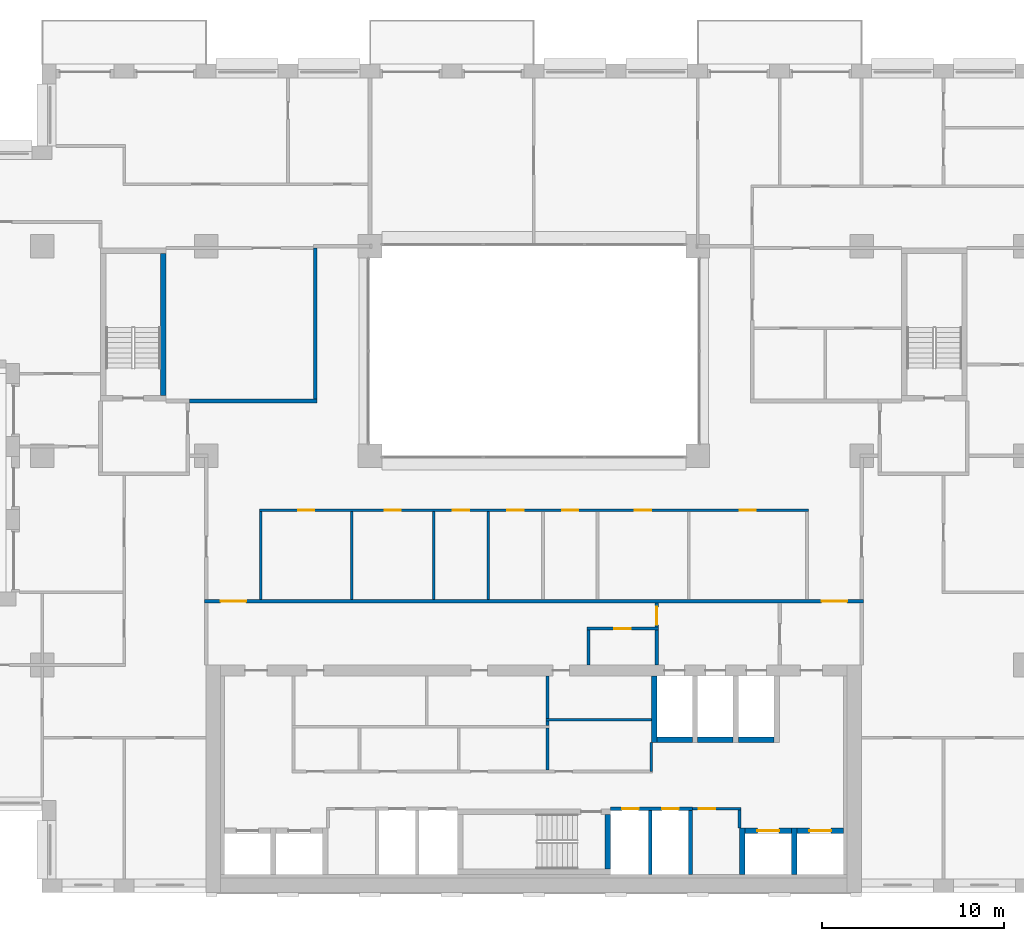
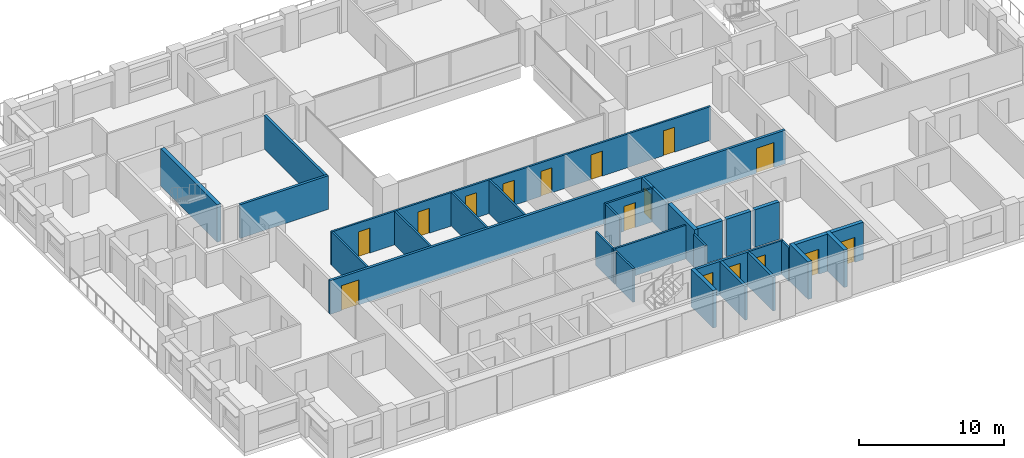
# One storey, part 10 of 16: 32 walls, 16 doors, 16 openings.
"""IFC4 building model written with IfcOpenShell, lengths in metres."""

from ifc_helpers import new_model, si_unit, direction, frame, frame_2d, origin, place, context, subcontext, project, spatial, rectangle, extrude, material, layer, layer_set, type_object, element, fill, save


model = new_model("IFC4")

# Units and contexts
model_context = context("Model", 3, precision=1e-05, world=origin(), true_north=direction((0.0, 1.0)))
body_context = subcontext(model_context, "Body", "Model", "MODEL_VIEW")
ifc_project = project(units=[si_unit("LENGTHUNIT", "METRE"), si_unit("AREAUNIT", "SQUARE_METRE"), si_unit("VOLUMEUNIT", "CUBIC_METRE"), si_unit("PLANEANGLEUNIT", "RADIAN"), si_unit("MASSUNIT", "GRAM", prefix="KILO")], contexts=[model_context])

# Site, building, storey
site_placement = place(None, origin())
site = spatial("IfcSite", under=ifc_project, at=site_placement, CompositionType="ELEMENT")
building_placement = place(site_placement, origin())
building = spatial("IfcBuilding", under=site, at=building_placement, Name="Brigalow Station Residences", CompositionType="ELEMENT")
storey_placement = place(building_placement, frame((0.0, 0.0, 105.60009765625)))
storey = spatial("IfcBuildingStorey", under=building, at=storey_placement, Name="L30", CompositionType="ELEMENT", Elevation=105.60009765625)

# Walls
ifc_material_1 = material(Name="Concrete C65", Category="concrete")
ifc_layer_1 = layer(ifc_material_1, 0.300048828125)
ifc_layer_set_1 = layer_set([ifc_layer_1], Name="CORE SHEAR WALL 300 C65")
wall_type_1 = type_object("IfcWallType", Name="CORE SHEAR WALL 300 C65", PredefinedType="SHEAR", material=ifc_layer_set_1)
wall_1_placement = place(storey_placement, frame((42.75, 8.39990234375, 0.0), z_axis=(0.0, 0.0, 1.0), x_axis=(1.0, 0.0, 0.0)))
element("IfcWall", 1, at=wall_1_placement, inside=storey, type_object=wall_type_1, Name="CORE WALL SH-FF1-S L30", PredefinedType="SHEAR", context=body_context, shape_type="SweptSolid", body=[
    extrude(rectangle(XDim=1.949951171875, YDim=0.300048828125, at=frame_2d((0.97509765625, 0.0))), origin(), (0.0, 0.0, 1.0), 3.14990234375),
])
wall_2_placement = place(storey_placement, frame((42.60009765625, 8.25, 0.0), z_axis=(0.0, 0.0, 1.0), x_axis=(0.0, 1.0, 0.0)))
element("IfcWall", 2, at=wall_2_placement, inside=storey, type_object=wall_type_1, Name="CORE WALL SH-FF1-W L30", PredefinedType="SHEAR", context=body_context, shape_type="SweptSolid", body=[
    extrude(rectangle(XDim=3.64990234375, YDim=0.300048828125, at=frame_2d((1.824951171875, 0.0))), origin(), (0.0, 0.0, 1.0), 3.14990234375),
])
for number, where, z_axis, x_axis, name in (
    (3, (45.0, 8.39990234375, 0.0), (0.0, 0.0, 1.0), (1.0, 0.0, 0.0), "CORE WALL SH-FF2-S L30"),
    (4, (47.25, 8.39990234375, 0.0), (0.0, 0.0, 1.0), (1.0, 0.0, 0.0), "CORE WALL SH-SL1-S L30"),
):
    element("IfcWall", number, at=place(storey_placement, frame(where, z_axis=z_axis, x_axis=x_axis)), inside=storey, type_object=wall_type_1, Name=name, PredefinedType="SHEAR", context=body_context, shape_type="SweptSolid", body=[
        extrude(rectangle(XDim=1.949951171875, YDim=0.300048828125, at=frame_2d((0.97509765625, 0.0))), origin(), (0.0, 0.0, 1.0), 3.14990234375),
    ])

# Wall, opening, door
wall_3_placement = place(storey_placement, frame((47.60009765625, 3.39990234375, 0.0), z_axis=(0.0, 0.0, 1.0), x_axis=(1.0, 0.0, 0.0)))
wall_3 = element("IfcWall", 5, at=wall_3_placement, inside=storey, type_object=wall_type_1, Name="CORE WALL SH-C3-N L30", PredefinedType="SHEAR", context=body_context, shape_type="SweptSolid", body=[
    extrude(rectangle(XDim=2.5498046875, YDim=0.300048828125, at=frame_2d((1.27490234375, 0.0))), origin(), (0.0, 0.0, 1.0), 3.14990234375),
])
opening_1_placement = place(wall_3_placement, frame((0.675048828125, 0.0, 0.0)))
opening_1 = element("IfcOpeningElement", 6, at=opening_1_placement, cuts=wall_3, Name="Opening LD-LB3", PredefinedType="OPENING", context=body_context, shape_type="SweptSolid", body=[
    extrude(rectangle(XDim=1.199951171875, YDim=2.10009765625, at=frame_2d((0.60009765625, 1.050048828125))), frame((0.0, 0.16015625, 0.0), z_axis=(0.0, -1.0, 0.0), x_axis=(1.0, 0.0, 0.0)), (0.0, 0.0, 1.0), 0.320068359375),
])
ifc_material_2 = material(Name="Stainless steel sliding door leaves", Category="steel")
door_type_1 = type_object("IfcDoorType", Name="LIFT LANDING DOOR 1200 x 2100", OperationType="DOUBLE_DOOR_SLIDING", PredefinedType="DOOR", material=ifc_material_2)
door_1_placement = place(opening_1_placement, origin())
door_1 = element("IfcDoor", 7, at=door_1_placement, inside=storey, type_object=door_type_1, Name="LANDING DOOR LB3", OperationType="DOUBLE_DOOR_SLIDING", OverallHeight=2.10009765625, OverallWidth=1.199951171875, PredefinedType="DOOR", context=body_context, shape_type="SweptSolid", body=[
    extrude(rectangle(XDim=1.199951171875, YDim=2.10009765625, at=frame_2d((0.60009765625, 1.050048828125))), frame((0.0, 0.02490234375, 0.0), z_axis=(0.0, -1.0, 0.0), x_axis=(1.0, 0.0, 0.0)), (0.0, 0.0, 1.0), 0.050048828125),
])
fill(opening_1, door_1)

# Wall
wall_4_placement = place(storey_placement, frame((47.449951171875, 1.0, 0.0), z_axis=(0.0, 0.0, 1.0), x_axis=(0.0, 1.0, 0.0)))
element("IfcWall", 8, at=wall_4_placement, inside=storey, type_object=wall_type_1, Name="CORE WALL SH-C3-W L30", PredefinedType="SHEAR", context=body_context, shape_type="SweptSolid", body=[
    extrude(rectangle(XDim=2.550048828125, YDim=0.300048828125, at=frame_2d((1.27490234375, 0.0))), origin(), (0.0, 0.0, 1.0), 3.14990234375),
])

# Wall, opening, door
wall_5_placement = place(storey_placement, frame((50.449951171875, 3.39990234375, 0.0), z_axis=(0.0, 0.0, 1.0), x_axis=(1.0, 0.0, 0.0)))
wall_5 = element("IfcWall", 9, at=wall_5_placement, inside=storey, type_object=wall_type_1, Name="CORE WALL SH-C4-N L30", PredefinedType="SHEAR", context=body_context, shape_type="SweptSolid", body=[
    extrude(rectangle(XDim=2.550048828125, YDim=0.300048828125, at=frame_2d((1.27490234375, 0.0))), origin(), (0.0, 0.0, 1.0), 3.14990234375),
])
opening_2_placement = place(wall_5_placement, frame((0.675048828125, 0.0, 0.0)))
opening_2 = element("IfcOpeningElement", 10, at=opening_2_placement, cuts=wall_5, Name="Opening LD-LB4", PredefinedType="OPENING", context=body_context, shape_type="SweptSolid", body=[
    extrude(rectangle(XDim=1.199951171875, YDim=2.10009765625, at=frame_2d((0.60009765625, 1.050048828125))), frame((0.0, 0.16015625, 0.0), z_axis=(0.0, -1.0, 0.0), x_axis=(1.0, 0.0, 0.0)), (0.0, 0.0, 1.0), 0.320068359375),
])
door_2_placement = place(opening_2_placement, origin())
door_2 = element("IfcDoor", 11, at=door_2_placement, inside=storey, type_object=door_type_1, Name="LANDING DOOR LB4", OperationType="DOUBLE_DOOR_SLIDING", OverallHeight=2.10009765625, OverallWidth=1.199951171875, PredefinedType="DOOR", context=body_context, shape_type="SweptSolid", body=[
    extrude(rectangle(XDim=1.199951171875, YDim=2.10009765625, at=frame_2d((0.60009765625, 1.050048828125))), frame((0.0, 0.02490234375, 0.0), z_axis=(0.0, -1.0, 0.0), x_axis=(1.0, 0.0, 0.0)), (0.0, 0.0, 1.0), 0.050048828125),
])
fill(opening_2, door_2)

# Walls
wall_6_placement = place(storey_placement, frame((50.300048828125, 1.0, 0.0), z_axis=(0.0, 0.0, 1.0), x_axis=(0.0, 1.0, 0.0)))
element("IfcWall", 12, at=wall_6_placement, inside=storey, type_object=wall_type_1, Name="CORE WALL SH-C4-W L30", PredefinedType="SHEAR", context=body_context, shape_type="SweptSolid", body=[
    extrude(rectangle(XDim=2.550048828125, YDim=0.300048828125, at=frame_2d((1.27490234375, 0.0))), origin(), (0.0, 0.0, 1.0), 3.14990234375),
])
wall_7_placement = place(storey_placement, frame((40.050048828125, 1.300048828125, 0.0), z_axis=(0.0, 0.0, 1.0), x_axis=(0.0, 1.0, 0.0)))
element("IfcWall", 13, at=wall_7_placement, inside=storey, type_object=wall_type_1, Name="CORE WALL ST-S2-E L30", PredefinedType="SHEAR", context=body_context, shape_type="SweptSolid", body=[
    extrude(rectangle(XDim=3.0, YDim=0.300048828125, at=frame_2d((1.5, 0.0))), origin(), (0.0, 0.0, 1.0), 3.14990234375),
])
wall_8_placement = place(storey_placement, frame((15.64990234375, 27.300048828125, 0.0), z_axis=(0.0, 0.0, 1.0), x_axis=(0.0, 1.0, 0.0)))
element("IfcWall", 14, at=wall_8_placement, inside=storey, type_object=wall_type_1, Name="CORE WALL ST-S1-E L30", PredefinedType="SHEAR", context=body_context, shape_type="SweptSolid", body=[
    extrude(rectangle(XDim=7.800048828125, YDim=0.300048828125, at=frame_2d((3.89990234375, 0.0))), origin(), (0.0, 0.0, 1.0), 3.14990234375),
])

# Wall, openings, doors
ifc_material_3 = material(Name="Concrete blockwork", Category="masonry")
ifc_layer_2 = layer(ifc_material_3, 0.199951171875)
ifc_layer_set_2 = layer_set([ifc_layer_2], Name="FIRE RATED CORE PARTITION 200")
wall_type_2 = type_object("IfcWallType", Name="FIRE RATED CORE PARTITION 200", PredefinedType="PARTITIONING", material=ifc_layer_set_2)
wall_9_placement = place(storey_placement, frame((40.199951171875, 4.60009765625, 0.0), z_axis=(0.0, 0.0, 1.0), x_axis=(1.0, 0.0, 0.0)))
wall_9 = element("IfcWall", 15, at=wall_9_placement, inside=storey, type_object=wall_type_2, Name="PW-5018", PredefinedType="PARTITIONING", context=body_context, shape_type="SweptSolid", body=[
    extrude(rectangle(XDim=4.5, YDim=0.199951171875, at=frame_2d((2.25, 0.0))), origin(), (0.0, 0.0, 1.0), 2.829833984375),
])
opening_3_placement = place(wall_9_placement, frame((0.64990234375, 0.0, 0.0)))
opening_3 = element("IfcOpeningElement", 16, at=opening_3_placement, cuts=wall_9, Name="Opening D-5009", PredefinedType="OPENING", context=body_context, shape_type="SweptSolid", body=[
    extrude(rectangle(XDim=0.89990234375, YDim=2.10009765625, at=frame_2d((0.449951171875, 1.050048828125))), frame((0.0, 0.10986328125, 0.0), z_axis=(0.0, -1.0, 0.0), x_axis=(1.0, 0.0, 0.0)), (0.0, 0.0, 1.0), 0.219970703125),
])
opening_4_placement = place(wall_9_placement, frame((2.85009765625, 0.0, 0.0)))
opening_4 = element("IfcOpeningElement", 17, at=opening_4_placement, cuts=wall_9, Name="Opening D-5010", PredefinedType="OPENING", context=body_context, shape_type="SweptSolid", body=[
    extrude(rectangle(XDim=0.89990234375, YDim=2.10009765625, at=frame_2d((0.449951171875, 1.050048828125))), frame((0.0, 0.10986328125, 0.0), z_axis=(0.0, -1.0, 0.0), x_axis=(1.0, 0.0, 0.0)), (0.0, 0.0, 1.0), 0.219970703125),
])
ifc_material_4 = material(Name="Steel fire door leaf in steel frame", Category="steel")
door_type_2 = type_object("IfcDoorType", Name="RISER ACCESS DOOR 900 x 2100 FD120", OperationType="SINGLE_SWING_LEFT", PredefinedType="DOOR", material=ifc_material_4)
door_3_placement = place(opening_3_placement, frame((0.89990234375, 0.0, 0.0), z_axis=(0.0, 0.0, 1.0), x_axis=(-1.0, 0.0, 0.0)))
door_3 = element("IfcDoor", 18, at=door_3_placement, inside=storey, type_object=door_type_2, Name="D-5009", OperationType="SINGLE_SWING_LEFT", OverallHeight=2.10009765625, OverallWidth=0.89990234375, PredefinedType="DOOR", context=body_context, shape_type="SweptSolid", body=[
    extrude(rectangle(XDim=0.89990234375, YDim=2.10009765625, at=frame_2d((0.449951171875, 1.050048828125))), frame((0.0, 0.02490234375, 0.0), z_axis=(0.0, -1.0, 0.0), x_axis=(1.0, 0.0, 0.0)), (0.0, 0.0, 1.0), 0.050048828125),
])
fill(opening_3, door_3)
door_4_placement = place(opening_4_placement, frame((0.89990234375, 0.0, 0.0), z_axis=(0.0, 0.0, 1.0), x_axis=(-1.0, 0.0, 0.0)))
door_4 = element("IfcDoor", 19, at=door_4_placement, inside=storey, type_object=door_type_2, Name="D-5010", OperationType="SINGLE_SWING_LEFT", OverallHeight=2.10009765625, OverallWidth=0.89990234375, PredefinedType="DOOR", context=body_context, shape_type="SweptSolid", body=[
    extrude(rectangle(XDim=0.89990234375, YDim=2.10009765625, at=frame_2d((0.449951171875, 1.050048828125))), frame((0.0, 0.02490234375, 0.0), z_axis=(0.0, -1.0, 0.0), x_axis=(1.0, 0.0, 0.0)), (0.0, 0.0, 1.0), 0.050048828125),
])
fill(opening_4, door_4)

# Walls
for number, where, z_axis, x_axis, name in (
    (20, (42.39990234375, 1.0, 0.0), (0.0, 0.0, 1.0), (0.0, 1.0, 0.0), "PW-5007"),
    (21, (44.60009765625, 1.0, 0.0), (0.0, 0.0, 1.0), (0.0, 1.0, 0.0), "PW-5008"),
):
    element("IfcWall", number, at=place(storey_placement, frame(where, z_axis=z_axis, x_axis=x_axis)), inside=storey, type_object=wall_type_2, Name=name, PredefinedType="PARTITIONING", context=body_context, shape_type="SweptSolid", body=[
        extrude(rectangle(XDim=3.5, YDim=0.199951171875, at=frame_2d((1.75, 0.0))), origin(), (0.0, 0.0, 1.0), 2.829833984375),
    ])
wall_10_placement = place(storey_placement, frame((42.75, 12.5, 0.0), z_axis=(0.0, 0.0, 1.0), x_axis=(0.0, 1.0, 0.0)))
element("IfcWall", 22, at=wall_10_placement, inside=storey, type_object=wall_type_2, Name="PW-5046", PredefinedType="PARTITIONING", context=body_context, shape_type="SweptSolid", body=[
    extrude(rectangle(XDim=1.925048828125, YDim=0.199951171875, at=frame_2d((0.96240234375, 0.0))), origin(), (0.0, 0.0, 1.0), 2.829833984375),
])

# Wall, opening, door
wall_11_placement = place(storey_placement, frame((42.75, 14.574951171875, 0.0), z_axis=(0.0, 0.0, 1.0), x_axis=(0.0, 1.0, 0.0)))
wall_11 = element("IfcWall", 23, at=wall_11_placement, inside=storey, type_object=wall_type_2, Name="PW-5047", PredefinedType="PARTITIONING", context=body_context, shape_type="SweptSolid", body=[
    extrude(rectangle(XDim=1.324951171875, YDim=0.199951171875, at=frame_2d((0.66259765625, 0.0))), origin(), (0.0, 0.0, 1.0), 2.829833984375),
])
opening_5_placement = place(wall_11_placement, frame((0.125, 0.0, 0.0)))
opening_5 = element("IfcOpeningElement", 24, at=opening_5_placement, cuts=wall_11, Name="Opening D-5013", PredefinedType="OPENING", context=body_context, shape_type="SweptSolid", body=[
    extrude(rectangle(XDim=1.0, YDim=2.10009765625, at=frame_2d((0.5, 1.050048828125))), frame((0.0, 0.10986328125, 0.0), z_axis=(0.0, -1.0, 0.0), x_axis=(1.0, 0.0, 0.0)), (0.0, 0.0, 1.0), 0.219970703125),
])
ifc_material_5 = material(Name="Steel fire door leaf in steel frame", Category="steel")
door_type_3 = type_object("IfcDoorType", Name="LOBBY DOOR 1000 x 2100 FD60S", OperationType="SINGLE_SWING_LEFT", PredefinedType="DOOR", material=ifc_material_5)
door_5_placement = place(opening_5_placement, origin())
door_5 = element("IfcDoor", 25, at=door_5_placement, inside=storey, type_object=door_type_3, Name="D-5013", OperationType="SINGLE_SWING_LEFT", OverallHeight=2.10009765625, OverallWidth=1.0, PredefinedType="DOOR", context=body_context, shape_type="SweptSolid", body=[
    extrude(rectangle(XDim=1.0, YDim=2.10009765625, at=frame_2d((0.5, 1.050048828125))), frame((0.0, 0.02490234375, 0.0), z_axis=(0.0, -1.0, 0.0), x_axis=(1.0, 0.0, 0.0)), (0.0, 0.0, 1.0), 0.050048828125),
])
fill(opening_5, door_5)

# Wall, openings, doors
ifc_material_6 = material(Name="Plasterboard on steel stud partition", Category="steel")
ifc_layer_3 = layer(ifc_material_6, 0.14990234375)
ifc_layer_set_3 = layer_set([ifc_layer_3], Name="FLAT PARTITION 150")
wall_type_3 = type_object("IfcWallType", Name="FLAT PARTITION 150", PredefinedType="PARTITIONING", material=ifc_layer_set_3)
wall_12_placement = place(storey_placement, frame((20.925048828125, 21.0, 0.0), z_axis=(0.0, 0.0, 1.0), x_axis=(1.0, 0.0, 0.0)))
wall_12 = element("IfcWall", 26, at=wall_12_placement, inside=storey, type_object=wall_type_3, Name="PW-2C01", PredefinedType="PARTITIONING", context=body_context, shape_type="SweptSolid", body=[
    extrude(rectangle(XDim=30.14990234375, YDim=0.14990234375, at=frame_2d((15.074951171875, 0.0))), origin(), (0.0, 0.0, 1.0), 2.829833984375),
])
opening_6_placement = place(wall_12_placement, frame((2.125, 0.0, 0.0)))
opening_6 = element("IfcOpeningElement", 27, at=opening_6_placement, cuts=wall_12, Name="Opening D-2C45", PredefinedType="OPENING", context=body_context, shape_type="SweptSolid", body=[
    extrude(rectangle(XDim=0.89990234375, YDim=2.10009765625, at=frame_2d((0.449951171875, 1.050048828125))), frame((0.0, 0.0849609375, 0.0), z_axis=(0.0, -1.0, 0.0), x_axis=(1.0, 0.0, 0.0)), (0.0, 0.0, 1.0), 0.169921875),
])
opening_7_placement = place(wall_12_placement, frame((6.875, 0.0, 0.0)))
opening_7 = element("IfcOpeningElement", 28, at=opening_7_placement, cuts=wall_12, Name="Opening D-2C46", PredefinedType="OPENING", context=body_context, shape_type="SweptSolid", body=[
    extrude(rectangle(XDim=0.89990234375, YDim=2.10009765625, at=frame_2d((0.449951171875, 1.050048828125))), frame((0.0, 0.0849609375, 0.0), z_axis=(0.0, -1.0, 0.0), x_axis=(1.0, 0.0, 0.0)), (0.0, 0.0, 1.0), 0.169921875),
])
opening_8_placement = place(wall_12_placement, frame((10.625, 0.0, 0.0)))
opening_8 = element("IfcOpeningElement", 29, at=opening_8_placement, cuts=wall_12, Name="Opening D-2C47", PredefinedType="OPENING", context=body_context, shape_type="SweptSolid", body=[
    extrude(rectangle(XDim=0.89990234375, YDim=2.10009765625, at=frame_2d((0.449951171875, 1.050048828125))), frame((0.0, 0.0849609375, 0.0), z_axis=(0.0, -1.0, 0.0), x_axis=(1.0, 0.0, 0.0)), (0.0, 0.0, 1.0), 0.169921875),
])
opening_9_placement = place(wall_12_placement, frame((13.625, 0.0, 0.0)))
opening_9 = element("IfcOpeningElement", 30, at=opening_9_placement, cuts=wall_12, Name="Opening D-2C48", PredefinedType="OPENING", context=body_context, shape_type="SweptSolid", body=[
    extrude(rectangle(XDim=0.89990234375, YDim=2.10009765625, at=frame_2d((0.449951171875, 1.050048828125))), frame((0.0, 0.0849609375, 0.0), z_axis=(0.0, -1.0, 0.0), x_axis=(1.0, 0.0, 0.0)), (0.0, 0.0, 1.0), 0.169921875),
])
opening_10_placement = place(wall_12_placement, frame((16.625, 0.0, 0.0)))
opening_10 = element("IfcOpeningElement", 31, at=opening_10_placement, cuts=wall_12, Name="Opening D-2C49", PredefinedType="OPENING", context=body_context, shape_type="SweptSolid", body=[
    extrude(rectangle(XDim=0.89990234375, YDim=2.10009765625, at=frame_2d((0.449951171875, 1.050048828125))), frame((0.0, 0.0849609375, 0.0), z_axis=(0.0, -1.0, 0.0), x_axis=(1.0, 0.0, 0.0)), (0.0, 0.0, 1.0), 0.169921875),
])
opening_11_placement = place(wall_12_placement, frame((20.625, 0.0, 0.0)))
opening_11 = element("IfcOpeningElement", 32, at=opening_11_placement, cuts=wall_12, Name="Opening D-2C50", PredefinedType="OPENING", context=body_context, shape_type="SweptSolid", body=[
    extrude(rectangle(XDim=0.89990234375, YDim=2.10009765625, at=frame_2d((0.449951171875, 1.050048828125))), frame((0.0, 0.0849609375, 0.0), z_axis=(0.0, -1.0, 0.0), x_axis=(1.0, 0.0, 0.0)), (0.0, 0.0, 1.0), 0.169921875),
])
opening_12_placement = place(wall_12_placement, frame((26.375, 0.0, 0.0)))
opening_12 = element("IfcOpeningElement", 33, at=opening_12_placement, cuts=wall_12, Name="Opening D-2C51", PredefinedType="OPENING", context=body_context, shape_type="SweptSolid", body=[
    extrude(rectangle(XDim=0.89990234375, YDim=2.10009765625, at=frame_2d((0.449951171875, 1.050048828125))), frame((0.0, 0.0849609375, 0.0), z_axis=(0.0, -1.0, 0.0), x_axis=(1.0, 0.0, 0.0)), (0.0, 0.0, 1.0), 0.169921875),
])
ifc_material_7 = material(Name="Solid-core timber door leaf", Category="wood")
door_type_4 = type_object("IfcDoorType", Name="INTERNAL DOOR 900 x 2100", OperationType="SINGLE_SWING_LEFT", PredefinedType="DOOR", material=ifc_material_7)
door_6_placement = place(opening_6_placement, frame((0.89990234375, 0.0, 0.0), z_axis=(0.0, 0.0, 1.0), x_axis=(-1.0, 0.0, 0.0)))
door_6 = element("IfcDoor", 34, at=door_6_placement, inside=storey, type_object=door_type_4, Name="D-2C45", OperationType="SINGLE_SWING_RIGHT", OverallHeight=2.10009765625, OverallWidth=0.89990234375, PredefinedType="DOOR", context=body_context, shape_type="SweptSolid", body=[
    extrude(rectangle(XDim=0.89990234375, YDim=2.10009765625, at=frame_2d((0.449951171875, 1.050048828125))), frame((0.0, 0.02490234375, 0.0), z_axis=(0.0, -1.0, 0.0), x_axis=(1.0, 0.0, 0.0)), (0.0, 0.0, 1.0), 0.050048828125),
])
fill(opening_6, door_6)
door_7_placement = place(opening_7_placement, frame((0.89990234375, 0.0, 0.0), z_axis=(0.0, 0.0, 1.0), x_axis=(-1.0, 0.0, 0.0)))
door_7 = element("IfcDoor", 35, at=door_7_placement, inside=storey, type_object=door_type_4, Name="D-2C46", OperationType="SINGLE_SWING_RIGHT", OverallHeight=2.10009765625, OverallWidth=0.89990234375, PredefinedType="DOOR", context=body_context, shape_type="SweptSolid", body=[
    extrude(rectangle(XDim=0.89990234375, YDim=2.10009765625, at=frame_2d((0.449951171875, 1.050048828125))), frame((0.0, 0.02490234375, 0.0), z_axis=(0.0, -1.0, 0.0), x_axis=(1.0, 0.0, 0.0)), (0.0, 0.0, 1.0), 0.050048828125),
])
fill(opening_7, door_7)
door_8_placement = place(opening_8_placement, frame((0.89990234375, 0.0, 0.0), z_axis=(0.0, 0.0, 1.0), x_axis=(-1.0, 0.0, 0.0)))
door_8 = element("IfcDoor", 36, at=door_8_placement, inside=storey, type_object=door_type_4, Name="D-2C47", OperationType="SINGLE_SWING_RIGHT", OverallHeight=2.10009765625, OverallWidth=0.89990234375, PredefinedType="DOOR", context=body_context, shape_type="SweptSolid", body=[
    extrude(rectangle(XDim=0.89990234375, YDim=2.10009765625, at=frame_2d((0.449951171875, 1.050048828125))), frame((0.0, 0.02490234375, 0.0), z_axis=(0.0, -1.0, 0.0), x_axis=(1.0, 0.0, 0.0)), (0.0, 0.0, 1.0), 0.050048828125),
])
fill(opening_8, door_8)
door_9_placement = place(opening_9_placement, frame((0.89990234375, 0.0, 0.0), z_axis=(0.0, 0.0, 1.0), x_axis=(-1.0, 0.0, 0.0)))
door_9 = element("IfcDoor", 37, at=door_9_placement, inside=storey, type_object=door_type_4, Name="D-2C48", OperationType="SINGLE_SWING_LEFT", OverallHeight=2.10009765625, OverallWidth=0.89990234375, PredefinedType="DOOR", context=body_context, shape_type="SweptSolid", body=[
    extrude(rectangle(XDim=0.89990234375, YDim=2.10009765625, at=frame_2d((0.449951171875, 1.050048828125))), frame((0.0, 0.02490234375, 0.0), z_axis=(0.0, -1.0, 0.0), x_axis=(1.0, 0.0, 0.0)), (0.0, 0.0, 1.0), 0.050048828125),
])
fill(opening_9, door_9)
door_10_placement = place(opening_10_placement, frame((0.89990234375, 0.0, 0.0), z_axis=(0.0, 0.0, 1.0), x_axis=(-1.0, 0.0, 0.0)))
door_10 = element("IfcDoor", 38, at=door_10_placement, inside=storey, type_object=door_type_4, Name="D-2C49", OperationType="SINGLE_SWING_LEFT", OverallHeight=2.10009765625, OverallWidth=0.89990234375, PredefinedType="DOOR", context=body_context, shape_type="SweptSolid", body=[
    extrude(rectangle(XDim=0.89990234375, YDim=2.10009765625, at=frame_2d((0.449951171875, 1.050048828125))), frame((0.0, 0.02490234375, 0.0), z_axis=(0.0, -1.0, 0.0), x_axis=(1.0, 0.0, 0.0)), (0.0, 0.0, 1.0), 0.050048828125),
])
fill(opening_10, door_10)
door_11_placement = place(opening_11_placement, frame((0.89990234375, 0.0, 0.0), z_axis=(0.0, 0.0, 1.0), x_axis=(-1.0, 0.0, 0.0)))
door_11 = element("IfcDoor", 39, at=door_11_placement, inside=storey, type_object=door_type_4, Name="D-2C50", OperationType="SINGLE_SWING_RIGHT", OverallHeight=2.10009765625, OverallWidth=0.89990234375, PredefinedType="DOOR", context=body_context, shape_type="SweptSolid", body=[
    extrude(rectangle(XDim=0.89990234375, YDim=2.10009765625, at=frame_2d((0.449951171875, 1.050048828125))), frame((0.0, 0.02490234375, 0.0), z_axis=(0.0, -1.0, 0.0), x_axis=(1.0, 0.0, 0.0)), (0.0, 0.0, 1.0), 0.050048828125),
])
fill(opening_11, door_11)
door_12_placement = place(opening_12_placement, frame((0.89990234375, 0.0, 0.0), z_axis=(0.0, 0.0, 1.0), x_axis=(-1.0, 0.0, 0.0)))
door_12 = element("IfcDoor", 40, at=door_12_placement, inside=storey, type_object=door_type_4, Name="D-2C51", OperationType="SINGLE_SWING_LEFT", OverallHeight=2.10009765625, OverallWidth=0.89990234375, PredefinedType="DOOR", context=body_context, shape_type="SweptSolid", body=[
    extrude(rectangle(XDim=0.89990234375, YDim=2.10009765625, at=frame_2d((0.449951171875, 1.050048828125))), frame((0.0, 0.02490234375, 0.0), z_axis=(0.0, -1.0, 0.0), x_axis=(1.0, 0.0, 0.0)), (0.0, 0.0, 1.0), 0.050048828125),
])
fill(opening_12, door_12)

# Walls
for number, where, z_axis, x_axis, name in (
    (41, (21.0, 16.10009765625, 0.0), (0.0, 0.0, 1.0), (0.0, 1.0, 0.0), "PW-2C39"),
    (42, (26.0, 16.10009765625, 0.0), (0.0, 0.0, 1.0), (0.0, 1.0, 0.0), "PW-2C67"),
    (43, (30.5, 16.10009765625, 0.0), (0.0, 0.0, 1.0), (0.0, 1.0, 0.0), "PW-2C68"),
    (44, (33.5, 16.10009765625, 0.0), (0.0, 0.0, 1.0), (0.0, 1.0, 0.0), "PW-2C69"),
):
    element("IfcWall", number, at=place(storey_placement, frame(where, z_axis=z_axis, x_axis=x_axis)), inside=storey, type_object=wall_type_3, Name=name, PredefinedType="PARTITIONING", context=body_context, shape_type="SweptSolid", body=[
        extrude(rectangle(XDim=4.824951171875, YDim=0.14990234375, at=frame_2d((2.41259765625, 0.0))), origin(), (0.0, 0.0, 1.0), 2.829833984375),
    ])
ifc_material_8 = material(Name="Plasterboard on steel stud partition", Category="steel")
ifc_layer_4 = layer(ifc_material_8, 0.199951171875)
ifc_layer_set_4 = layer_set([ifc_layer_4], Name="PARTY AND CORRIDOR WALL 200")
wall_type_4 = type_object("IfcWallType", Name="PARTY AND CORRIDOR WALL 200", PredefinedType="PARTITIONING", material=ifc_layer_set_4)
wall_13_placement = place(storey_placement, frame((17.10009765625, 27.0, 0.0), z_axis=(0.0, 0.0, 1.0), x_axis=(1.0, 0.0, 0.0)))
element("IfcWall", 45, at=wall_13_placement, inside=storey, type_object=wall_type_4, Name="PW-2C05", PredefinedType="PARTITIONING", context=body_context, shape_type="SweptSolid", body=[
    extrude(rectangle(XDim=7.0, YDim=0.199951171875, at=frame_2d((3.5, 0.0))), origin(), (0.0, 0.0, 1.0), 2.829833984375),
])

# Wall, openings, doors
wall_14_placement = place(storey_placement, frame((17.89990234375, 16.0, 0.0), z_axis=(0.0, 0.0, 1.0), x_axis=(1.0, 0.0, 0.0)))
wall_14 = element("IfcWall", 46, at=wall_14_placement, inside=storey, type_object=wall_type_4, Name="PW-2C35", PredefinedType="PARTITIONING", context=body_context, shape_type="SweptSolid", body=[
    extrude(rectangle(XDim=36.2001953125, YDim=0.199951171875, at=frame_2d((18.10009765625, 0.0))), origin(), (0.0, 0.0, 1.0), 2.829833984375),
])
opening_13_placement = place(wall_14_placement, frame((0.89990234375, 0.0, 0.0)))
opening_13 = element("IfcOpeningElement", 47, at=opening_13_placement, cuts=wall_14, Name="Opening D-2C01", PredefinedType="OPENING", context=body_context, shape_type="SweptSolid", body=[
    extrude(rectangle(XDim=1.39990234375, YDim=2.10009765625, at=frame_2d((0.699951171875, 1.050048828125))), frame((0.0, 0.10986328125, 0.0), z_axis=(0.0, -1.0, 0.0), x_axis=(1.0, 0.0, 0.0)), (0.0, 0.0, 1.0), 0.219970703125),
])
opening_14_placement = place(wall_14_placement, frame((33.89990234375, 0.0, 0.0)))
opening_14 = element("IfcOpeningElement", 48, at=opening_14_placement, cuts=wall_14, Name="Opening D-2C02", PredefinedType="OPENING", context=body_context, shape_type="SweptSolid", body=[
    extrude(rectangle(XDim=1.39990234375, YDim=2.10009765625, at=frame_2d((0.699951171875, 1.050048828125))), frame((0.0, 0.10986328125, 0.0), z_axis=(0.0, -1.0, 0.0), x_axis=(1.0, 0.0, 0.0)), (0.0, 0.0, 1.0), 0.219970703125),
])
ifc_material_9 = material(Name="Solid-core timber door leaf", Category="wood")
door_type_5 = type_object("IfcDoorType", Name="CORRIDOR FIRE DOOR 1400 x 2100 FRL -/60/30", OperationType="DOUBLE_DOOR_SINGLE_SWING", PredefinedType="DOOR", material=ifc_material_9)
door_13_placement = place(opening_13_placement, frame((1.39990234375, 0.0, 0.0), z_axis=(0.0, 0.0, 1.0), x_axis=(-1.0, 0.0, 0.0)))
door_13 = element("IfcDoor", 49, at=door_13_placement, inside=storey, type_object=door_type_5, Name="D-2C01", OperationType="DOUBLE_DOOR_SINGLE_SWING", OverallHeight=2.10009765625, OverallWidth=1.39990234375, PredefinedType="DOOR", context=body_context, shape_type="SweptSolid", body=[
    extrude(rectangle(XDim=1.39990234375, YDim=2.10009765625, at=frame_2d((0.699951171875, 1.050048828125))), frame((0.0, 0.02490234375, 0.0), z_axis=(0.0, -1.0, 0.0), x_axis=(1.0, 0.0, 0.0)), (0.0, 0.0, 1.0), 0.050048828125),
])
fill(opening_13, door_13)
door_14_placement = place(opening_14_placement, frame((1.39990234375, 0.0, 0.0), z_axis=(0.0, 0.0, 1.0), x_axis=(-1.0, 0.0, 0.0)))
door_14 = element("IfcDoor", 50, at=door_14_placement, inside=storey, type_object=door_type_5, Name="D-2C02", OperationType="DOUBLE_DOOR_SINGLE_SWING", OverallHeight=2.10009765625, OverallWidth=1.39990234375, PredefinedType="DOOR", context=body_context, shape_type="SweptSolid", body=[
    extrude(rectangle(XDim=1.39990234375, YDim=2.10009765625, at=frame_2d((0.699951171875, 1.050048828125))), frame((0.0, 0.02490234375, 0.0), z_axis=(0.0, -1.0, 0.0), x_axis=(1.0, 0.0, 0.0)), (0.0, 0.0, 1.0), 0.050048828125),
])
fill(opening_14, door_14)

# Wall
wall_15_placement = place(storey_placement, frame((24.0, 27.10009765625, 0.0), z_axis=(0.0, 0.0, 1.0), x_axis=(0.0, 1.0, 0.0)))
element("IfcWall", 51, at=wall_15_placement, inside=storey, type_object=wall_type_4, Name="PW-2C41", PredefinedType="PARTITIONING", context=body_context, shape_type="SweptSolid", body=[
    extrude(rectangle(XDim=8.2998046875, YDim=0.199951171875, at=frame_2d((4.14990234375, 0.0))), origin(), (0.0, 0.0, 1.0), 2.829833984375),
])

# Wall, opening, door
ifc_material_10 = material(Name="Plasterboard on steel studs", Category="steel")
ifc_layer_5 = layer(ifc_material_10, 0.14990234375)
ifc_layer_set_5 = layer_set([ifc_layer_5], Name="SERVICE ROOM PARTITION 150")
wall_type_5 = type_object("IfcWallType", Name="SERVICE ROOM PARTITION 150", PredefinedType="PARTITIONING", material=ifc_layer_set_5)
wall_16_placement = place(storey_placement, frame((44.699951171875, 4.60009765625, 0.0), z_axis=(0.0, 0.0, 1.0), x_axis=(1.0, 0.0, 0.0)))
wall_16 = element("IfcWall", 52, at=wall_16_placement, inside=storey, type_object=wall_type_5, Name="PW-5156", PredefinedType="PARTITIONING", context=body_context, shape_type="SweptSolid", body=[
    extrude(rectangle(XDim=2.675048828125, YDim=0.14990234375, at=frame_2d((1.33740234375, 0.0))), origin(), (0.0, 0.0, 1.0), 2.829833984375),
])
opening_15_placement = place(wall_16_placement, frame((0.35009765625, 0.0, 0.0)))
opening_15 = element("IfcOpeningElement", 53, at=opening_15_placement, cuts=wall_16, Name="Opening D-5026", PredefinedType="OPENING", context=body_context, shape_type="SweptSolid", body=[
    extrude(rectangle(XDim=0.89990234375, YDim=2.10009765625, at=frame_2d((0.449951171875, 1.050048828125))), frame((0.0, 0.0849609375, 0.0), z_axis=(0.0, -1.0, 0.0), x_axis=(1.0, 0.0, 0.0)), (0.0, 0.0, 1.0), 0.169921875),
])
ifc_material_11 = material(Name="Steel door leaf in steel frame", Category="steel")
door_type_6 = type_object("IfcDoorType", Name="SERVICE ROOM DOOR 900 x 2100 FD60", OperationType="SINGLE_SWING_LEFT", PredefinedType="DOOR", material=ifc_material_11)
door_15_placement = place(opening_15_placement, frame((0.89990234375, 0.0, 0.0), z_axis=(0.0, 0.0, 1.0), x_axis=(-1.0, 0.0, 0.0)))
door_15 = element("IfcDoor", 54, at=door_15_placement, inside=storey, type_object=door_type_6, Name="D-5026", OperationType="SINGLE_SWING_RIGHT", OverallHeight=2.10009765625, OverallWidth=0.89990234375, PredefinedType="DOOR", context=body_context, shape_type="SweptSolid", body=[
    extrude(rectangle(XDim=0.89990234375, YDim=2.10009765625, at=frame_2d((0.449951171875, 1.050048828125))), frame((0.0, 0.02490234375, 0.0), z_axis=(0.0, -1.0, 0.0), x_axis=(1.0, 0.0, 0.0)), (0.0, 0.0, 1.0), 0.050048828125),
])
fill(opening_15, door_15)

# Wall
wall_17_placement = place(storey_placement, frame((36.675048828125, 9.5, 0.0), z_axis=(0.0, 0.0, 1.0), x_axis=(1.0, 0.0, 0.0)))
element("IfcWall", 55, at=wall_17_placement, inside=storey, type_object=wall_type_5, Name="PW-5215", PredefinedType="PARTITIONING", context=body_context, shape_type="SweptSolid", body=[
    extrude(rectangle(XDim=5.77490234375, YDim=0.14990234375, at=frame_2d((2.887451171875, 0.0))), origin(), (0.0, 0.0, 1.0), 2.829833984375),
])

# Wall, opening, door
wall_18_placement = place(storey_placement, frame((38.925048828125, 14.5, 0.0), z_axis=(0.0, 0.0, 1.0), x_axis=(1.0, 0.0, 0.0)))
wall_18 = element("IfcWall", 56, at=wall_18_placement, inside=storey, type_object=wall_type_5, Name="PW-5129", PredefinedType="PARTITIONING", context=body_context, shape_type="SweptSolid", body=[
    extrude(rectangle(XDim=3.925048828125, YDim=0.14990234375, at=frame_2d((1.96240234375, 0.0))), origin(), (0.0, 0.0, 1.0), 2.829833984375),
])
opening_16_placement = place(wall_18_placement, frame((1.5, 0.0, 0.0)))
opening_16 = element("IfcOpeningElement", 57, at=opening_16_placement, cuts=wall_18, Name="Opening D-5076", PredefinedType="OPENING", context=body_context, shape_type="SweptSolid", body=[
    extrude(rectangle(XDim=0.89990234375, YDim=2.10009765625, at=frame_2d((0.449951171875, 1.050048828125))), frame((0.0, 0.0849609375, 0.0), z_axis=(0.0, -1.0, 0.0), x_axis=(1.0, 0.0, 0.0)), (0.0, 0.0, 1.0), 0.169921875),
])
door_16_placement = place(opening_16_placement, frame((0.89990234375, 0.0, 0.0), z_axis=(0.0, 0.0, 1.0), x_axis=(-1.0, 0.0, 0.0)))
door_16 = element("IfcDoor", 58, at=door_16_placement, inside=storey, type_object=door_type_6, Name="D-5076", OperationType="SINGLE_SWING_LEFT", OverallHeight=2.10009765625, OverallWidth=0.89990234375, PredefinedType="DOOR", context=body_context, shape_type="SweptSolid", body=[
    extrude(rectangle(XDim=0.89990234375, YDim=2.10009765625, at=frame_2d((0.449951171875, 1.050048828125))), frame((0.0, 0.02490234375, 0.0), z_axis=(0.0, -1.0, 0.0), x_axis=(1.0, 0.0, 0.0)), (0.0, 0.0, 1.0), 0.050048828125),
])
fill(opening_16, door_16)

# Walls
wall_19_placement = place(storey_placement, frame((47.300048828125, 3.550048828125, 0.0), z_axis=(0.0, 0.0, 1.0), x_axis=(0.0, 1.0, 0.0)))
element("IfcWall", 59, at=wall_19_placement, inside=storey, type_object=wall_type_5, Name="PW-5158", PredefinedType="PARTITIONING", context=body_context, shape_type="SweptSolid", body=[
    extrude(rectangle(XDim=0.974853515625, YDim=0.14990234375, at=frame_2d((0.4873046875, 0.0))), origin(), (0.0, 0.0, 1.0), 2.829833984375),
])
wall_20_placement = place(storey_placement, frame((42.449951171875, 6.64990234375, 0.0), z_axis=(0.0, 0.0, 1.0), x_axis=(0.0, 1.0, 0.0)))
element("IfcWall", 60, at=wall_20_placement, inside=storey, type_object=wall_type_5, Name="PW-5029", PredefinedType="PARTITIONING", context=body_context, shape_type="SweptSolid", body=[
    extrude(rectangle(XDim=1.60009765625, YDim=0.14990234375, at=frame_2d((0.800048828125, 0.0))), origin(), (0.0, 0.0, 1.0), 2.829833984375),
])
wall_21_placement = place(storey_placement, frame((36.75, 6.72509765625, 0.0), z_axis=(0.0, 0.0, 1.0), x_axis=(0.0, 1.0, 0.0)))
element("IfcWall", 61, at=wall_21_placement, inside=storey, type_object=wall_type_5, Name="PW-5219", PredefinedType="PARTITIONING", context=body_context, shape_type="SweptSolid", body=[
    extrude(rectangle(XDim=2.309814453125, YDim=0.14990234375, at=frame_2d((1.15478515625, 0.0))), origin(), (0.0, 0.0, 1.0), 2.829833984375),
])
wall_22_placement = place(storey_placement, frame((36.75, 9.18505859375, 0.0), z_axis=(0.0, 0.0, 1.0), x_axis=(0.0, 1.0, 0.0)))
element("IfcWall", 62, at=wall_22_placement, inside=storey, type_object=wall_type_5, Name="PW-5222", PredefinedType="PARTITIONING", context=body_context, shape_type="SweptSolid", body=[
    extrude(rectangle(XDim=0.239990234375, YDim=0.14990234375, at=frame_2d((0.1201171875, 0.0))), origin(), (0.0, 0.0, 1.0), 2.829833984375),
])
wall_23_placement = place(storey_placement, frame((36.75, 9.574951171875, 0.0), z_axis=(0.0, 0.0, 1.0), x_axis=(0.0, 1.0, 0.0)))
element("IfcWall", 63, at=wall_23_placement, inside=storey, type_object=wall_type_5, Name="PW-5223", PredefinedType="PARTITIONING", context=body_context, shape_type="SweptSolid", body=[
    extrude(rectangle(XDim=2.324951171875, YDim=0.14990234375, at=frame_2d((1.16259765625, 0.0))), origin(), (0.0, 0.0, 1.0), 2.829833984375),
])
wall_24_placement = place(storey_placement, frame((39.0, 12.5, 0.0), z_axis=(0.0, 0.0, 1.0), x_axis=(0.0, 1.0, 0.0)))
element("IfcWall", 64, at=wall_24_placement, inside=storey, type_object=wall_type_5, Name="PW-5136", PredefinedType="PARTITIONING", context=body_context, shape_type="SweptSolid", body=[
    extrude(rectangle(XDim=1.925048828125, YDim=0.14990234375, at=frame_2d((0.96240234375, 0.0))), origin(), (0.0, 0.0, 1.0), 2.829833984375),
])

save(model, "model.ifc")
